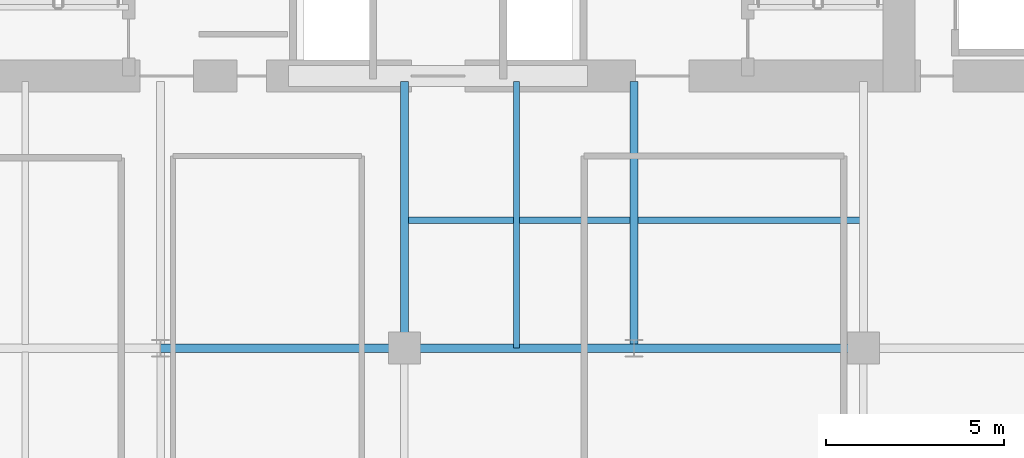
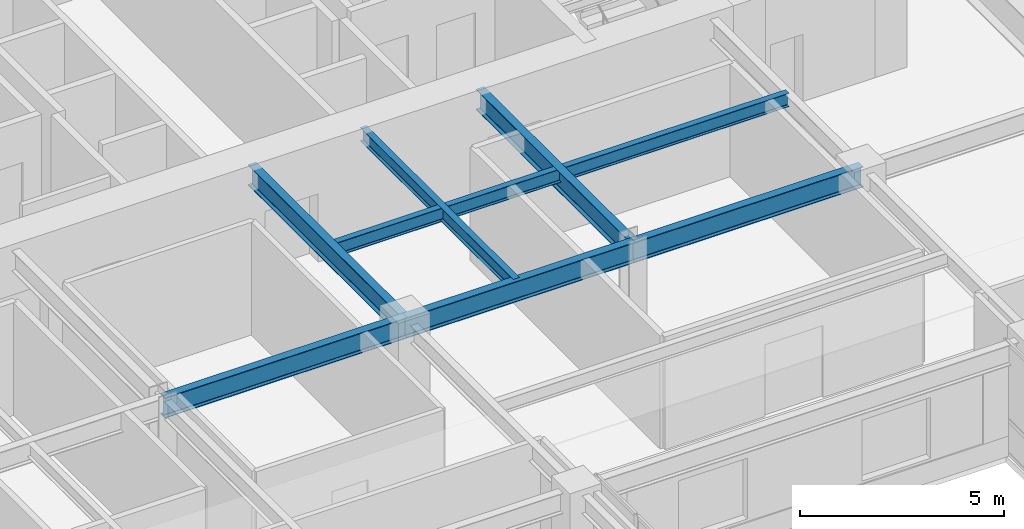
# One storey, part 6 of 24: 7 beams.
"""IFC4 building model written with IfcOpenShell, lengths in metres."""

from ifc_helpers import new_model, si_unit, direction, frame, origin, origin_2d, place, context, subcontext, project, spatial, i_section, extrude, source, transform, mapped, material, material_profile, profile_set, type_object, type_shapes, element, save


model = new_model("IFC4")

# Units and contexts
model_context = context("Model", 3, precision=1e-05, world=origin(), true_north=direction((0.0, 1.0)))
body_context = subcontext(model_context, "Body", "Model", "MODEL_VIEW")
ifc_project = project(units=[si_unit("LENGTHUNIT", "METRE"), si_unit("AREAUNIT", "SQUARE_METRE"), si_unit("VOLUMEUNIT", "CUBIC_METRE"), si_unit("PLANEANGLEUNIT", "RADIAN"), si_unit("MASSUNIT", "GRAM", prefix="KILO")], contexts=[model_context])

# Site, building, storey
site_placement = place(None, origin())
site = spatial("IfcSite", under=ifc_project, at=site_placement, CompositionType="ELEMENT")
building_placement = place(site_placement, origin())
building = spatial("IfcBuilding", under=site, at=building_placement, Name="Tolvann Quenvar Hotel", CompositionType="ELEMENT")
storey_placement = place(building_placement, frame((0.0, 0.0, 88.800048828125)))
storey = spatial("IfcBuildingStorey", under=building, at=storey_placement, Name="L22", CompositionType="ELEMENT", Elevation=88.800048828125)

# Beams
ifc_material = material(Name="Steel Grade 350", Category="steel")
ifc_material_profile_1 = material_profile(ifc_material, i_section(OverallWidth=0.22900390625, OverallDepth=0.612060546875, WebThickness=0.011962890625, FlangeThickness=0.01953125, FilletRadius=0.013916015625, at=origin_2d()), Name="610UB125")
ifc_profile_set_1 = profile_set([ifc_material_profile_1], Name="Steel Grade 350")
beam_type_1 = type_object("IfcBeamType", Name="BM_GIRD_610UB125", PredefinedType="BEAM", material=ifc_profile_set_1)
shared_shape_1 = source(origin(), body_context, "Body", "SweptSolid", [
    extrude(i_section(OverallWidth=0.22900390625, OverallDepth=0.612060546875, WebThickness=0.011962890625, FlangeThickness=0.01953125, FilletRadius=0.013916015625, at=origin_2d()), origin(), (0.0, 0.0, 1.0), 6.85009765625),
])
beam_1_placement = place(storey_placement, frame((15.199951171875, 24.39990234375, 3.06396484375), z_axis=(1.0, 0.0, 0.0), x_axis=(0.0, 1.0, 0.0)))
element("IfcBeam", 1, at=beam_1_placement, inside=storey, type_object=beam_type_1, Name="BM-L22-EW-5-D5-E5", PredefinedType="BEAM", context=body_context, shape_type="MappedRepresentation", body=[
    mapped(shared_shape_1, transform((0.0, 0.0, 0.0), x_axis=(1.0, 0.0, 0.0), y_axis=(0.0, 1.0, 0.0), z_axis=(0.0, 0.0, 1.0), scale=1.0)),
])
shared_shape_2 = source(origin(), body_context, "Body", "SweptSolid", [
    extrude(i_section(OverallWidth=0.22900390625, OverallDepth=0.612060546875, WebThickness=0.011962890625, FlangeThickness=0.01953125, FilletRadius=0.013916015625, at=origin_2d()), origin(), (0.0, 0.0, 1.0), 6.449951171875),
])
for number, where, z_axis, x_axis, name in (
    (2, (22.050048828125, 24.39990234375, 3.06396484375), (1.0, 0.0, 0.0), (0.0, 1.0, 0.0), "BM-L22-EW-5-E5-M5"),
    (3, (28.5, 24.39990234375, 3.06396484375), (1.0, 0.0, 0.0), (0.0, 1.0, 0.0), "BM-L22-EW-5-M5-F5"),
):
    element("IfcBeam", number, at=place(storey_placement, frame(where, z_axis=z_axis, x_axis=x_axis)), inside=storey, type_object=beam_type_1, Name=name, PredefinedType="BEAM", context=body_context, shape_type="MappedRepresentation", body=[
        mapped(shared_shape_2, transform((0.0, 0.0, 0.0), x_axis=(1.0, 0.0, 0.0), y_axis=(0.0, 1.0, 0.0), z_axis=(0.0, 0.0, 1.0), scale=1.0)),
    ])
shared_shape_3 = source(origin(), body_context, "Body", "SweptSolid", [
    extrude(i_section(OverallWidth=0.22900390625, OverallDepth=0.612060546875, WebThickness=0.011962890625, FlangeThickness=0.01953125, FilletRadius=0.013916015625, at=origin_2d()), origin(), (0.0, 0.0, 1.0), 7.5),
])
type_shapes(beam_type_1, [shared_shape_1, shared_shape_2, shared_shape_3])
for number, where, z_axis, x_axis, name in (
    (4, (22.050048828125, 24.39990234375, 3.06396484375), (0.0, 1.0, 0.0), (-1.0, 0.0, 0.0), "BM-L22-CORE-E5"),
    (5, (28.5, 24.39990234375, 3.06396484375), (0.0, 1.0, 0.0), (-1.0, 0.0, 0.0), "BM-L22-CORE-M5"),
):
    element("IfcBeam", number, at=place(storey_placement, frame(where, z_axis=z_axis, x_axis=x_axis)), inside=storey, type_object=beam_type_1, Name=name, PredefinedType="BEAM", context=body_context, shape_type="MappedRepresentation", body=[
        mapped(shared_shape_3, transform((0.0, 0.0, 0.0), x_axis=(1.0, 0.0, 0.0), y_axis=(0.0, 1.0, 0.0), z_axis=(0.0, 0.0, 1.0), scale=1.0)),
    ])
ifc_material_profile_2 = material_profile(ifc_material, i_section(OverallWidth=0.177978515625, OverallDepth=0.406005859375, WebThickness=0.0078125, FlangeThickness=0.0126953125, FilletRadius=0.011474609375, at=origin_2d()), Name="410UB60")
ifc_profile_set_2 = profile_set([ifc_material_profile_2], Name="Steel Grade 350")
beam_type_2 = type_object("IfcBeamType", Name="BM_JOIST_410UB60", PredefinedType="JOIST", material=ifc_profile_set_2)
shared_shape_4 = source(origin(), body_context, "Body", "SweptSolid", [
    extrude(i_section(OverallWidth=0.177978515625, OverallDepth=0.406005859375, WebThickness=0.0078125, FlangeThickness=0.0126953125, FilletRadius=0.011474609375, at=origin_2d()), origin(), (0.0, 0.0, 1.0), 12.89990234375),
])
beam_2_placement = place(storey_placement, frame((22.050048828125, 28.0, 3.1669921875), z_axis=(1.0, 0.0, 0.0), x_axis=(0.0, 1.0, 0.0)))
element("IfcBeam", 6, at=beam_2_placement, inside=storey, type_object=beam_type_2, Name="BM-L22-SPINE-28", PredefinedType="JOIST", context=body_context, shape_type="MappedRepresentation", body=[
    mapped(shared_shape_4, transform((0.0, 0.0, 0.0), x_axis=(1.0, 0.0, 0.0), y_axis=(0.0, 1.0, 0.0), z_axis=(0.0, 0.0, 1.0), scale=1.0)),
])
shared_shape_5 = source(origin(), body_context, "Body", "SweptSolid", [
    extrude(i_section(OverallWidth=0.177978515625, OverallDepth=0.406005859375, WebThickness=0.0078125, FlangeThickness=0.0126953125, FilletRadius=0.011474609375, at=origin_2d()), origin(), (0.0, 0.0, 1.0), 7.5),
])
type_shapes(beam_type_2, [shared_shape_4, shared_shape_5])
beam_3_placement = place(storey_placement, frame((25.199951171875, 24.39990234375, 3.1669921875), z_axis=(0.0, 1.0, 0.0), x_axis=(-1.0, 0.0, 0.0)))
element("IfcBeam", 7, at=beam_3_placement, inside=storey, type_object=beam_type_2, Name="BJ-L22-252-244", PredefinedType="JOIST", context=body_context, shape_type="MappedRepresentation", body=[
    mapped(shared_shape_5, transform((0.0, 0.0, 0.0), x_axis=(1.0, 0.0, 0.0), y_axis=(0.0, 1.0, 0.0), z_axis=(0.0, 0.0, 1.0), scale=1.0)),
])

save(model, "model.ifc")
